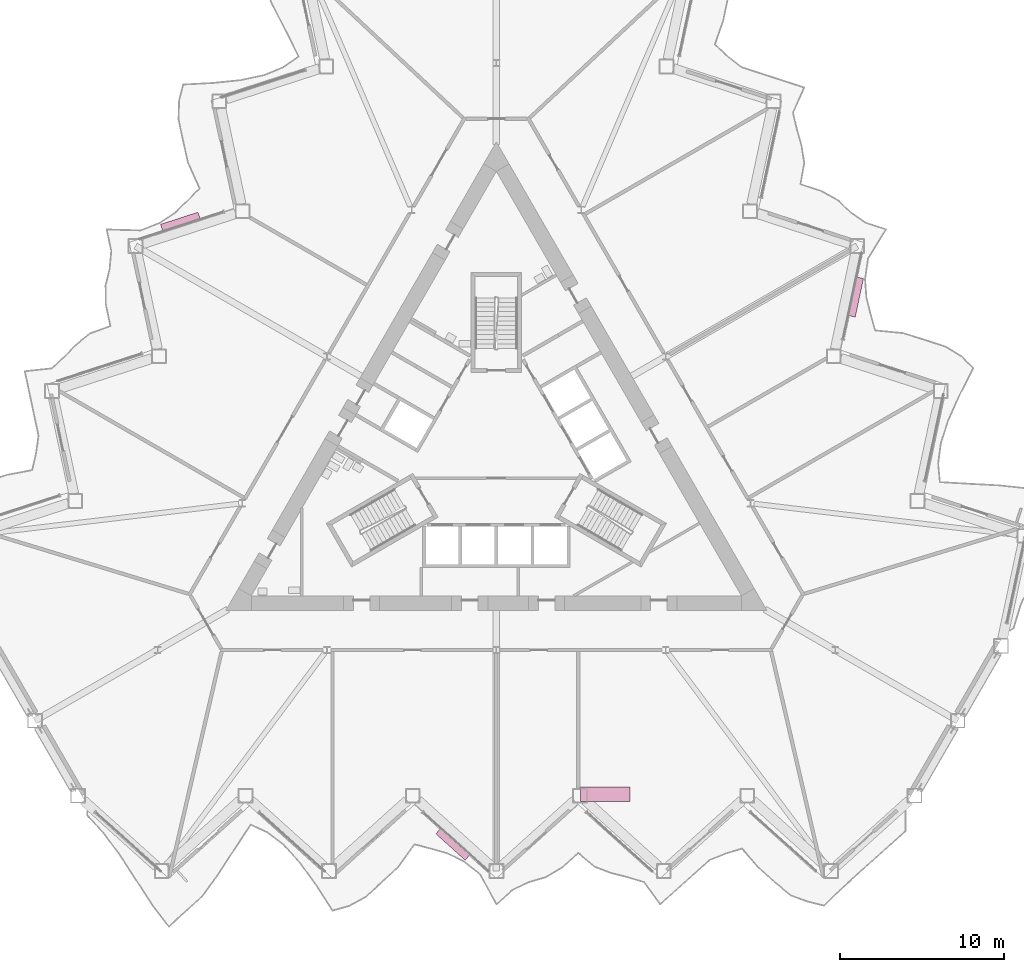
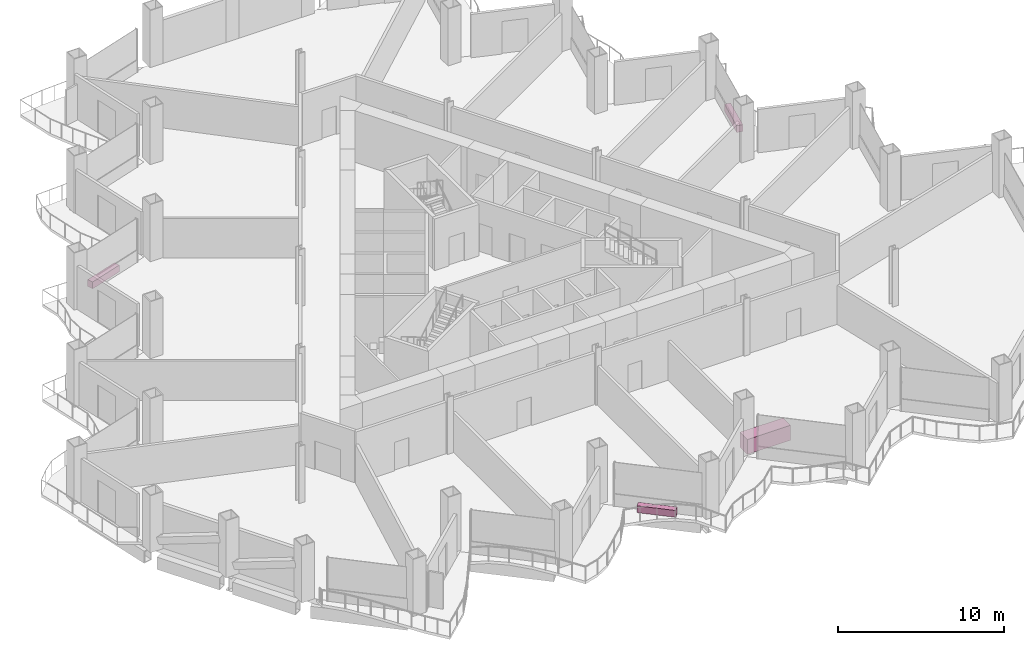
# One storey, part 21 of 21: 4 furniture elements.
"""IFC4 building model written with IfcOpenShell, lengths in metres."""

from ifc_helpers import new_model, si_unit, direction, frame, origin, origin_2d, place, context, subcontext, project, spatial, rectangle, extrude, material, type_object, element, save


model = new_model("IFC4")

# Units and contexts
model_context = context("Model", 3, precision=1e-05, world=origin(), true_north=direction((0.0, 1.0)))
body_context = subcontext(model_context, "Body", "Model", "MODEL_VIEW")
ifc_project = project(units=[si_unit("LENGTHUNIT", "METRE"), si_unit("AREAUNIT", "SQUARE_METRE"), si_unit("VOLUMEUNIT", "CUBIC_METRE"), si_unit("PLANEANGLEUNIT", "RADIAN"), si_unit("MASSUNIT", "GRAM", prefix="KILO")], contexts=[model_context])

# Site, building, storey
site_placement = place(None, origin())
site = spatial("IfcSite", under=ifc_project, at=site_placement, CompositionType="ELEMENT")
building_placement = place(site_placement, origin())
building = spatial("IfcBuilding", under=site, at=building_placement, Name="Cormorant Prow Tower", CompositionType="ELEMENT")
storey_placement = place(building_placement, frame((0.0, 0.0, 99.60009765625)))
storey = spatial("IfcBuildingStorey", under=building, at=storey_placement, Name="L20", CompositionType="ELEMENT", Elevation=99.60009765625)

# Furniture
ifc_material_1 = material(Name="Terracotta", Category="masonry")
furniture_type_1 = type_object("IfcFurnitureType", Name="Balcony planter 2400x400x500", AssemblyPlace="NOTDEFINED", PredefinedType="USERDEFINED", material=ifc_material_1)
for number, where, z_axis, x_axis, name in (
    (1, (-2.66357421875, -23.788330078125, 0.0), (0.0, 0.0, 1.0), (0.743144785735, -0.669130650497, 0.0), "Balcony planter S04"),
    (2, (21.93310546875, 9.58740234375, 0.0), (0.0, 0.0, 1.0), (0.207911769861, 0.978147583933, 0.0), "Balcony planter ENE04"),
    (3, (-19.26953125, 14.200927734375, 0.0), (0.0, 0.0, 1.0), (-0.951056535959, -0.309016933855, 0.0), "Balcony planter WNW04"),
):
    element("IfcFurniture", number, at=place(storey_placement, frame(where, z_axis=z_axis, x_axis=x_axis)), inside=storey, type_object=furniture_type_1, Name=name, ObjectType="PLANTER", PredefinedType="USERDEFINED", context=body_context, shape_type="SweptSolid", body=[
        extrude(rectangle(XDim=2.39990234375, YDim=0.39990234375, at=origin_2d()), origin(), (0.0, 0.0, 1.0), 0.5),
    ])
ifc_material_2 = material(Name="Timber joinery", Category="wood")
furniture_type_2 = type_object("IfcFurnitureType", Name="Reception desk 3000x900", AssemblyPlace="NOTDEFINED", PredefinedType="DESK", material=ifc_material_2)
furniture_placement = place(storey_placement, frame((6.6376953125, -20.722412109375, -0.000244140625), z_axis=(0.0, 0.0, 1.0), x_axis=(1.0, 0.0, 0.0)))
element("IfcFurniture", 4, at=furniture_placement, inside=storey, type_object=furniture_type_2, Name="Reception desk", PredefinedType="DESK", context=body_context, shape_type="SweptSolid", body=[
    extrude(rectangle(XDim=3.0, YDim=0.89990234375, at=origin_2d()), origin(), (0.0, 0.0, 1.0), 1.10009765625),
])

save(model, "model.ifc")
